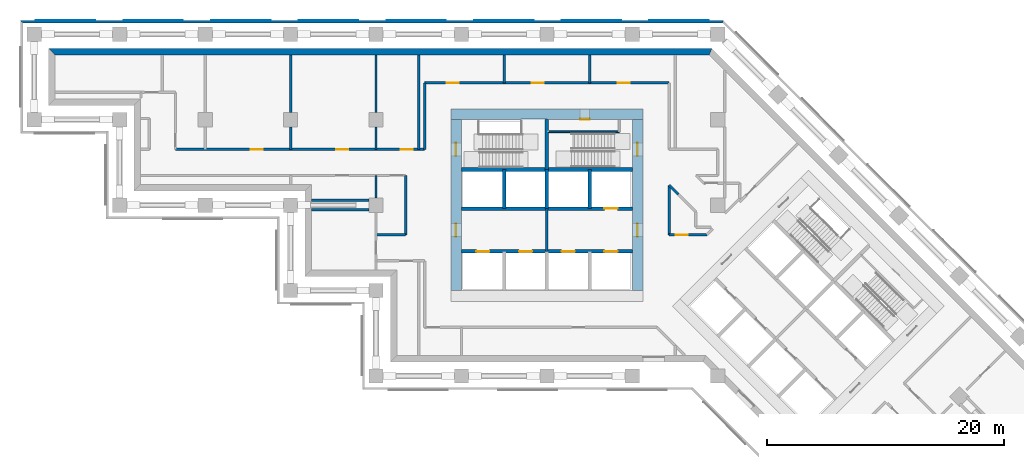
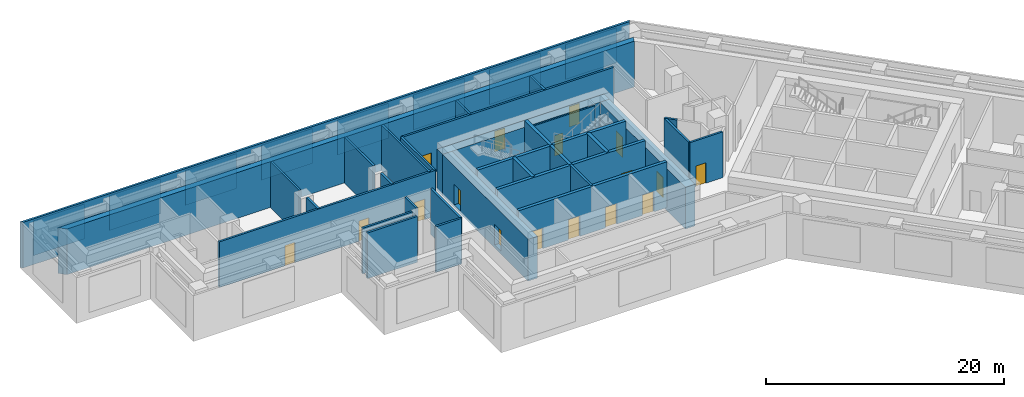
# One storey, part 4 of 8: 33 walls, 17 doors, 8 plates, 17 openings.
"""IFC4 building model written with IfcOpenShell, lengths in metres."""

from ifc_helpers import new_model, si_unit, direction, frame, frame_2d, origin, place, context, subcontext, project, spatial, polyline, rectangle, outline, extrude, material, layer, layer_set, type_object, element, fill, aggregate, save


model = new_model("IFC4")

# Units and contexts
model_context = context("Model", 3, precision=1e-05, world=origin(), true_north=direction((0.0, 1.0)))
body_context = subcontext(model_context, "Body", "Model", "MODEL_VIEW")
ifc_project = project(units=[si_unit("LENGTHUNIT", "METRE"), si_unit("AREAUNIT", "SQUARE_METRE"), si_unit("VOLUMEUNIT", "CUBIC_METRE"), si_unit("PLANEANGLEUNIT", "RADIAN"), si_unit("MASSUNIT", "GRAM", prefix="KILO")], contexts=[model_context])

# Plate
ifc_material_1 = material(Name="Aluminium louvre", Category="aluminium")
ifc_layer_1 = layer(ifc_material_1, 0.05)
ifc_layer_set_1 = layer_set([ifc_layer_1], Name="Belt louvre panel 5000x3600")
plate_type = type_object("IfcPlateType", Name="Belt louvre panel 5000x3600", PredefinedType="SHEET", material=ifc_layer_set_1)
site_placement = place(None, origin())
building_placement = place(site_placement, origin())
storey_placement = place(building_placement, frame((0.0, 0.0, 72.0)))
plate_1_placement = place(storey_placement, frame((78.4421, 73.2, 0.75), z_axis=(0.0, 1.0, 0.0), x_axis=(-1.0, 0.0, 0.0)))
plate_1 = element("IfcPlate", 1, at=plate_1_placement, type_object=plate_type, Name="Belt louvre panel L19 28.1", PredefinedType="SHEET", context=body_context, shape_type="SweptSolid", body=[
    extrude(outline(polyline([(0.0, 0.0), (5.0, 0.0), (5.0, 3.6), (0.0, 3.6), (0.0, 0.0)])), origin(), (0.0, 0.0, -1.0), 0.05),
])

plate_2_placement = place(storey_placement, frame((71.0565, 73.2, 0.75), z_axis=(0.0, 1.0, 0.0), x_axis=(-1.0, 0.0, 0.0)))
plate_2 = element("IfcPlate", 2, at=plate_2_placement, type_object=plate_type, Name="Belt louvre panel L19 29.2", PredefinedType="SHEET", context=body_context, shape_type="SweptSolid", body=[
    extrude(outline(polyline([(0.0, 0.0), (5.0, 0.0), (5.0, 3.6), (0.0, 3.6), (0.0, 0.0)])), origin(), (0.0, 0.0, -1.0), 0.05),
])

plate_3_placement = place(storey_placement, frame((63.6709, 73.2, 0.75), z_axis=(0.0, 1.0, 0.0), x_axis=(-1.0, 0.0, 0.0)))
plate_3 = element("IfcPlate", 3, at=plate_3_placement, type_object=plate_type, Name="Belt louvre panel L19 30.3", PredefinedType="SHEET", context=body_context, shape_type="SweptSolid", body=[
    extrude(outline(polyline([(0.0, 0.0), (5.0, 0.0), (5.0, 3.6), (0.0, 3.6), (0.0, 0.0)])), origin(), (0.0, 0.0, -1.0), 0.05),
])

plate_4_placement = place(storey_placement, frame((56.2852, 73.2, 0.75), z_axis=(0.0, 1.0, 0.0), x_axis=(-1.0, 0.0, 0.0)))
plate_4 = element("IfcPlate", 4, at=plate_4_placement, type_object=plate_type, Name="Belt louvre panel L19 31.4", PredefinedType="SHEET", context=body_context, shape_type="SweptSolid", body=[
    extrude(outline(polyline([(0.0, 0.0), (5.0, 0.0), (5.0, 3.6), (0.0, 3.6), (0.0, 0.0)])), origin(), (0.0, 0.0, -1.0), 0.05),
])

plate_5_placement = place(storey_placement, frame((48.8996, 73.2, 0.75), z_axis=(0.0, 1.0, 0.0), x_axis=(-1.0, 0.0, 0.0)))
plate_5 = element("IfcPlate", 5, at=plate_5_placement, type_object=plate_type, Name="Belt louvre panel L19 32.5", PredefinedType="SHEET", context=body_context, shape_type="SweptSolid", body=[
    extrude(outline(polyline([(0.0, 0.0), (5.0, 0.0), (5.0, 3.6), (0.0, 3.6), (0.0, 0.0)])), origin(), (0.0, 0.0, -1.0), 0.05),
])

plate_6_placement = place(storey_placement, frame((41.514, 73.2, 0.75), z_axis=(0.0, 1.0, 0.0), x_axis=(-1.0, 0.0, 0.0)))
plate_6 = element("IfcPlate", 6, at=plate_6_placement, type_object=plate_type, Name="Belt louvre panel L19 33.6", PredefinedType="SHEET", context=body_context, shape_type="SweptSolid", body=[
    extrude(outline(polyline([(0.0, 0.0), (5.0, 0.0), (5.0, 3.6), (0.0, 3.6), (0.0, 0.0)])), origin(), (0.0, 0.0, -1.0), 0.05),
])

plate_7_placement = place(storey_placement, frame((34.1284, 73.2, 0.75), z_axis=(0.0, 1.0, 0.0), x_axis=(-1.0, 0.0, 0.0)))
plate_7 = element("IfcPlate", 7, at=plate_7_placement, type_object=plate_type, Name="Belt louvre panel L19 34.7", PredefinedType="SHEET", context=body_context, shape_type="SweptSolid", body=[
    extrude(outline(polyline([(0.0, 0.0), (5.0, 0.0), (5.0, 3.6), (0.0, 3.6), (0.0, 0.0)])), origin(), (0.0, 0.0, -1.0), 0.05),
])

plate_8_placement = place(storey_placement, frame((26.7428, 73.2, 0.75), z_axis=(0.0, 1.0, 0.0), x_axis=(-1.0, 0.0, 0.0)))
plate_8 = element("IfcPlate", 8, at=plate_8_placement, type_object=plate_type, Name="Belt louvre panel L19 35.8", PredefinedType="SHEET", context=body_context, shape_type="SweptSolid", body=[
    extrude(outline(polyline([(0.0, 0.0), (5.0, 0.0), (5.0, 3.6), (0.0, 3.6), (0.0, 0.0)])), origin(), (0.0, 0.0, -1.0), 0.05),
])

# Site, building, storey
site = spatial("IfcSite", under=ifc_project, at=site_placement, CompositionType="ELEMENT")
building = spatial("IfcBuilding", under=site, at=building_placement, Name="Windrow Commons", CompositionType="ELEMENT")
storey = spatial("IfcBuildingStorey", under=building, at=storey_placement, Name="L19", CompositionType="ELEMENT", Elevation=72.0)

# Wall
ifc_material_2 = material(Name="Concrete C40/50 precast screen panel", Category="concrete")
ifc_layer_2 = layer(ifc_material_2, 0.2)
ifc_layer_set_2 = layer_set([ifc_layer_2], Name="Belt screen wall 200")
wall_type_1 = type_object("IfcWallType", Name="Belt screen wall 200", PredefinedType="SOLIDWALL", material=ifc_layer_set_2)
wall_1_placement = place(storey_placement, frame((79.6349, 73.05, 0.0), z_axis=(0.0, 0.0, 1.0), x_axis=(-1.0, 0.0, 0.0)))
wall_1 = element("IfcWall", 9, at=wall_1_placement, inside=storey, type_object=wall_type_1, Name="Belt screen wall L19 28", PredefinedType="SOLIDWALL", context=body_context, shape_type="SweptSolid", body=[
    extrude(outline(polyline([(-0.0414, -0.1), (59.1849, -0.1), (58.9849, 0.1), (0.0414, 0.1), (-0.0414, -0.1)])), origin(), (0.0, 0.0, 1.0), 4.7),
])

aggregate(wall_1, [plate_1, plate_2, plate_3, plate_4, plate_5, plate_6, plate_7, plate_8])

# Walls
ifc_material_3 = material(Name="Brick masonry, red clay brick", Category="masonry")
ifc_layer_3 = layer(ifc_material_3, 0.55)
ifc_layer_set_3 = layer_set([ifc_layer_3], Name="Brick facade wall 550")
wall_type_2 = type_object("IfcWallType", Name="Brick facade wall 550", PredefinedType="SOLIDWALL", material=ifc_layer_set_3)
wall_2_placement = place(storey_placement, frame((78.589, 70.525, 0.0), z_axis=(0.0, 0.0, 1.0), x_axis=(-1.0, 0.0, 0.0)))
element("IfcWall", 10, at=wall_2_placement, inside=storey, type_object=wall_type_2, Name="Brick facade wall L19 4", PredefinedType="SOLIDWALL", context=body_context, shape_type="SweptSolid", body=[
    extrude(outline(polyline([(-0.1139, -0.275), (55.789, -0.275), (55.239, 0.275), (0.1139, 0.275), (-0.1139, -0.275)])), origin(), (0.0, 0.0, 1.0), 4.7),
])
ifc_material_4 = material(Name="Blockwork partition", Category="masonry")
ifc_layer_4 = layer(ifc_material_4, 0.2)
ifc_layer_set_4 = layer_set([ifc_layer_4], Name="Fire lobby partition 200")
wall_type_3 = type_object("IfcWallType", Name="Fire lobby partition 200", PredefinedType="PARTITIONING", material=ifc_layer_set_4)
wall_3_placement = place(storey_placement, frame((64.8, 53.7, 0.0), z_axis=(0.0, 0.0, 1.0), x_axis=(0.0, 1.0, 0.0)))
element("IfcWall", 11, at=wall_3_placement, inside=storey, type_object=wall_type_3, Name="W-core-lobby-A-L19", PredefinedType="PARTITIONING", context=body_context, shape_type="SweptSolid", body=[
    extrude(rectangle(XDim=3.6, YDim=0.2, at=frame_2d((1.8, 0.0))), origin(), (0.0, 0.0, 1.0), 4.7),
])

# Wall, openings, doors
ifc_material_5 = material(Name="Blockwork partition", Category="masonry")
ifc_layer_5 = layer(ifc_material_5, 0.2)
ifc_layer_set_5 = layer_set([ifc_layer_5], Name="IW-CORRIDOR-200")
wall_type_4 = type_object("IfcWallType", Name="IW-CORRIDOR-200", PredefinedType="PARTITIONING", material=ifc_layer_set_5)
wall_4_placement = place(storey_placement, frame((33.502, 62.3, 0.0), z_axis=(0.0, 0.0, 1.0), x_axis=(1.0, 0.0, 0.0)))
wall_4 = element("IfcWall", 12, at=wall_4_placement, inside=storey, type_object=wall_type_4, Name="W-L19-W001", PredefinedType="PARTITIONING", context=body_context, shape_type="SweptSolid", body=[
    extrude(rectangle(XDim=20.998, YDim=0.2, at=frame_2d((10.499, 0.0))), origin(), (0.0, 0.0, 1.0), 4.7),
])
opening_1_placement = place(wall_4_placement, frame((6.3605, 0.0, 0.0)))
opening_1 = element("IfcOpeningElement", 13, at=opening_1_placement, cuts=wall_4, Name="Opening D410F", PredefinedType="OPENING", context=body_context, shape_type="SweptSolid", body=[
    extrude(rectangle(XDim=1.0, YDim=2.1, at=frame_2d((0.5, 1.05))), frame((0.0, 0.11, 0.0), z_axis=(0.0, -1.0, 0.0), x_axis=(1.0, 0.0, 0.0)), (0.0, 0.0, 1.0), 0.22),
])
opening_2_placement = place(wall_4_placement, frame((13.5605, 0.0, 0.0)))
opening_2 = element("IfcOpeningElement", 14, at=opening_2_placement, cuts=wall_4, Name="Opening D410F", PredefinedType="OPENING", context=body_context, shape_type="SweptSolid", body=[
    extrude(rectangle(XDim=1.0, YDim=2.1, at=frame_2d((0.5, 1.05))), frame((0.0, 0.11, 0.0), z_axis=(0.0, -1.0, 0.0), x_axis=(1.0, 0.0, 0.0)), (0.0, 0.0, 1.0), 0.22),
])
opening_3_placement = place(wall_4_placement, frame((18.9905, 0.0, 0.0)))
opening_3 = element("IfcOpeningElement", 15, at=opening_3_placement, cuts=wall_4, Name="Opening D410F", PredefinedType="OPENING", context=body_context, shape_type="SweptSolid", body=[
    extrude(rectangle(XDim=1.0, YDim=2.1, at=frame_2d((0.5, 1.05))), frame((0.0, 0.11, 0.0), z_axis=(0.0, -1.0, 0.0), x_axis=(1.0, 0.0, 0.0)), (0.0, 0.0, 1.0), 0.22),
])
ifc_material_6 = material(Name="Timber door leaf", Category="wood")
door_type_1 = type_object("IfcDoorType", Name="DT-SERVICE-1000", OperationType="SINGLE_SWING_LEFT", PredefinedType="DOOR", material=ifc_material_6)
door_1_placement = place(opening_1_placement, origin())
door_1 = element("IfcDoor", 16, at=door_1_placement, inside=storey, type_object=door_type_1, Name="D-L19-D008", OperationType="SINGLE_SWING_RIGHT", OverallHeight=2.1, OverallWidth=1.0, PredefinedType="DOOR", context=body_context, shape_type="SweptSolid", body=[
    extrude(rectangle(XDim=1.0, YDim=2.1, at=frame_2d((0.5, 1.05))), frame((0.0, 0.025, 0.0), z_axis=(0.0, -1.0, 0.0), x_axis=(1.0, 0.0, 0.0)), (0.0, 0.0, 1.0), 0.05),
])
fill(opening_1, door_1)
door_2_placement = place(opening_2_placement, origin())
door_2 = element("IfcDoor", 17, at=door_2_placement, inside=storey, type_object=door_type_1, Name="D-L19-D009", OperationType="SINGLE_SWING_RIGHT", OverallHeight=2.1, OverallWidth=1.0, PredefinedType="DOOR", context=body_context, shape_type="SweptSolid", body=[
    extrude(rectangle(XDim=1.0, YDim=2.1, at=frame_2d((0.5, 1.05))), frame((0.0, 0.025, 0.0), z_axis=(0.0, -1.0, 0.0), x_axis=(1.0, 0.0, 0.0)), (0.0, 0.0, 1.0), 0.05),
])
fill(opening_2, door_2)
door_3_placement = place(opening_3_placement, origin())
door_3 = element("IfcDoor", 18, at=door_3_placement, inside=storey, type_object=door_type_1, Name="D-L19-D010", OperationType="SINGLE_SWING_RIGHT", OverallHeight=2.1, OverallWidth=1.0, PredefinedType="DOOR", context=body_context, shape_type="SweptSolid", body=[
    extrude(rectangle(XDim=1.0, YDim=2.1, at=frame_2d((0.5, 1.05))), frame((0.0, 0.025, 0.0), z_axis=(0.0, -1.0, 0.0), x_axis=(1.0, 0.0, 0.0)), (0.0, 0.0, 1.0), 0.05),
])
fill(opening_3, door_3)

wall_5_placement = place(storey_placement, frame((54.502, 67.9, 0.0), z_axis=(0.0, 0.0, 1.0), x_axis=(1.0, 0.0, 0.0)))
wall_5 = element("IfcWall", 19, at=wall_5_placement, inside=storey, type_object=wall_type_4, Name="W-L19-W002", PredefinedType="PARTITIONING", context=body_context, shape_type="SweptSolid", body=[
    extrude(rectangle(XDim=20.598, YDim=0.2, at=frame_2d((10.299, 0.0))), origin(), (0.0, 0.0, 1.0), 4.7),
])
opening_4_placement = place(wall_5_placement, frame((1.8706, 0.0, 0.0)))
opening_4 = element("IfcOpeningElement", 20, at=opening_4_placement, cuts=wall_5, Name="Opening D410F", PredefinedType="OPENING", context=body_context, shape_type="SweptSolid", body=[
    extrude(rectangle(XDim=1.0, YDim=2.1, at=frame_2d((0.5, 1.05))), frame((0.0, 0.11, 0.0), z_axis=(0.0, -1.0, 0.0), x_axis=(1.0, 0.0, 0.0)), (0.0, 0.0, 1.0), 0.22),
])
opening_5_placement = place(wall_5_placement, frame((16.2725, 0.0, 0.0)))
opening_5 = element("IfcOpeningElement", 21, at=opening_5_placement, cuts=wall_5, Name="Opening D410F", PredefinedType="OPENING", context=body_context, shape_type="SweptSolid", body=[
    extrude(rectangle(XDim=1.0, YDim=2.1, at=frame_2d((0.5, 1.05))), frame((0.0, 0.11, 0.0), z_axis=(0.0, -1.0, 0.0), x_axis=(1.0, 0.0, 0.0)), (0.0, 0.0, 1.0), 0.22),
])
opening_6_placement = place(wall_5_placement, frame((9.0355, 0.0, 0.0)))
opening_6 = element("IfcOpeningElement", 22, at=opening_6_placement, cuts=wall_5, Name="Opening D410F", PredefinedType="OPENING", context=body_context, shape_type="SweptSolid", body=[
    extrude(rectangle(XDim=1.0, YDim=2.1, at=frame_2d((0.5, 1.05))), frame((0.0, 0.11, 0.0), z_axis=(0.0, -1.0, 0.0), x_axis=(1.0, 0.0, 0.0)), (0.0, 0.0, 1.0), 0.22),
])
door_4_placement = place(opening_4_placement, origin())
door_4 = element("IfcDoor", 23, at=door_4_placement, inside=storey, type_object=door_type_1, Name="D-L19-D011", OperationType="SINGLE_SWING_LEFT", OverallHeight=2.1, OverallWidth=1.0, PredefinedType="DOOR", context=body_context, shape_type="SweptSolid", body=[
    extrude(rectangle(XDim=1.0, YDim=2.1, at=frame_2d((0.5, 1.05))), frame((0.0, 0.025, 0.0), z_axis=(0.0, -1.0, 0.0), x_axis=(1.0, 0.0, 0.0)), (0.0, 0.0, 1.0), 0.05),
])
fill(opening_4, door_4)
door_5_placement = place(opening_5_placement, origin())
door_5 = element("IfcDoor", 24, at=door_5_placement, inside=storey, type_object=door_type_1, Name="D-L19-D012", OperationType="SINGLE_SWING_LEFT", OverallHeight=2.1, OverallWidth=1.0, PredefinedType="DOOR", context=body_context, shape_type="SweptSolid", body=[
    extrude(rectangle(XDim=1.0, YDim=2.1, at=frame_2d((0.5, 1.05))), frame((0.0, 0.025, 0.0), z_axis=(0.0, -1.0, 0.0), x_axis=(1.0, 0.0, 0.0)), (0.0, 0.0, 1.0), 0.05),
])
fill(opening_5, door_5)
door_6_placement = place(opening_6_placement, origin())
door_6 = element("IfcDoor", 25, at=door_6_placement, inside=storey, type_object=door_type_1, Name="D-L19-D013", OperationType="SINGLE_SWING_LEFT", OverallHeight=2.1, OverallWidth=1.0, PredefinedType="DOOR", context=body_context, shape_type="SweptSolid", body=[
    extrude(rectangle(XDim=1.0, YDim=2.1, at=frame_2d((0.5, 1.05))), frame((0.0, 0.025, 0.0), z_axis=(0.0, -1.0, 0.0), x_axis=(1.0, 0.0, 0.0)), (0.0, 0.0, 1.0), 0.05),
])
fill(opening_6, door_6)

# Walls
wall_6_placement = place(storey_placement, frame((54.5, 62.302, 0.0), z_axis=(0.0, 0.0, 1.0), x_axis=(0.0, 1.0, 0.0)))
element("IfcWall", 26, at=wall_6_placement, inside=storey, type_object=wall_type_4, Name="W-L19-W016", PredefinedType="PARTITIONING", context=body_context, shape_type="SweptSolid", body=[
    extrude(rectangle(XDim=5.598, YDim=0.2, at=frame_2d((2.799, 0.0))), origin(), (0.0, 0.0, 1.0), 4.7),
])
wall_7_placement = place(storey_placement, frame((52.9, 55.102, 0.0), z_axis=(0.0, 0.0, 1.0), x_axis=(0.0, 1.0, 0.0)))
element("IfcWall", 27, at=wall_7_placement, inside=storey, type_object=wall_type_4, Name="W-L19-W018", PredefinedType="PARTITIONING", context=body_context, shape_type="SweptSolid", body=[
    extrude(rectangle(XDim=4.998, YDim=0.2, at=frame_2d((2.499, 0.0))), origin(), (0.0, 0.0, 1.0), 4.7),
])
wall_8_placement = place(storey_placement, frame((75.1, 55.102, 0.0), z_axis=(0.0, 0.0, 1.0), x_axis=(0.0, 1.0, 0.0)))
element("IfcWall", 28, at=wall_8_placement, inside=storey, type_object=wall_type_4, Name="W-L19-W030", PredefinedType="PARTITIONING", context=body_context, shape_type="SweptSolid", body=[
    extrude(rectangle(XDim=4.166, YDim=0.2, at=frame_2d((2.083, 0.0))), origin(), (0.0, 0.0, 1.0), 4.7),
])

# Wall, opening, door
wall_9_placement = place(storey_placement, frame((75.102, 55.1, 0.0), z_axis=(0.0, 0.0, 1.0), x_axis=(1.0, 0.0, 0.0)))
wall_9 = element("IfcWall", 29, at=wall_9_placement, inside=storey, type_object=wall_type_4, Name="W-L19-W039", PredefinedType="PARTITIONING", context=body_context, shape_type="SweptSolid", body=[
    extrude(rectangle(XDim=3.178, YDim=0.2, at=frame_2d((1.589, 0.0))), origin(), (0.0, 0.0, 1.0), 4.7),
])
opening_7_placement = place(wall_9_placement, frame((0.5489, 0.0, 0.0)))
opening_7 = element("IfcOpeningElement", 30, at=opening_7_placement, cuts=wall_9, Name="Opening D410F", PredefinedType="OPENING", context=body_context, shape_type="SweptSolid", body=[
    extrude(rectangle(XDim=1.0, YDim=2.1, at=frame_2d((0.5, 1.05))), frame((0.0, 0.11, 0.0), z_axis=(0.0, -1.0, 0.0), x_axis=(1.0, 0.0, 0.0)), (0.0, 0.0, 1.0), 0.22),
])
door_7_placement = place(opening_7_placement, origin())
door_7 = element("IfcDoor", 31, at=door_7_placement, inside=storey, type_object=door_type_1, Name="D-L19-D005", OperationType="SINGLE_SWING_LEFT", OverallHeight=2.1, OverallWidth=1.0, PredefinedType="DOOR", context=body_context, shape_type="SweptSolid", body=[
    extrude(rectangle(XDim=1.0, YDim=2.1, at=frame_2d((0.5, 1.05))), frame((0.0, 0.025, 0.0), z_axis=(0.0, -1.0, 0.0), x_axis=(1.0, 0.0, 0.0)), (0.0, 0.0, 1.0), 0.05),
])
fill(opening_7, door_7)

# Walls
wall_10_placement = place(storey_placement, frame((50.4, 55.1, 0.0), z_axis=(0.0, 0.0, 1.0), x_axis=(1.0, 0.0, 0.0)))
element("IfcWall", 32, at=wall_10_placement, inside=storey, type_object=wall_type_4, Name="W-L19-W047", PredefinedType="PARTITIONING", context=body_context, shape_type="SweptSolid", body=[
    extrude(rectangle(XDim=2.5, YDim=0.2, at=frame_2d((1.25, 0.0))), origin(), (0.0, 0.0, 1.0), 4.7),
])
wall_11_placement = place(storey_placement, frame((75.1022, 59.2702, 0.0), z_axis=(0.0, 0.0, 1.0), x_axis=(0.7061937975, -0.7080185876, 0.0)))
element("IfcWall", 33, at=wall_11_placement, inside=storey, type_object=wall_type_4, Name="W-L19-W074", PredefinedType="PARTITIONING", context=body_context, shape_type="SweptSolid", body=[
    extrude(rectangle(XDim=1.096, YDim=0.2, at=frame_2d((0.548, 0.0))), origin(), (0.0, 0.0, 1.0), 4.7),
])
ifc_material_7 = material(Name="Blockwork partition", Category="masonry")
ifc_layer_6 = layer(ifc_material_7, 0.2)
ifc_layer_set_6 = layer_set([ifc_layer_6], Name="IW-PARTY-200")
wall_type_5 = type_object("IfcWallType", Name="IW-PARTY-200", PredefinedType="PARTITIONING", material=ifc_layer_set_6)
wall_12_placement = place(storey_placement, frame((54.0, 62.3, 0.0), z_axis=(0.0, 0.0, 1.0), x_axis=(0.0, 1.0, 0.0)))
element("IfcWall", 34, at=wall_12_placement, inside=storey, type_object=wall_type_5, Name="W-L19-W007", PredefinedType="PARTITIONING", context=body_context, shape_type="SweptSolid", body=[
    extrude(rectangle(XDim=7.95, YDim=0.2, at=frame_2d((3.975, 0.0))), origin(), (0.0, 0.0, 1.0), 4.7),
])
for number, where, z_axis, x_axis, name in (
    (35, (44.95, 57.2, 0.0), (0.0, 0.0, 1.0), (1.0, 0.0, 0.0), "W-L19-W021"),
    (36, (44.95, 58.0, 0.0), (0.0, 0.0, 1.0), (1.0, 0.0, 0.0), "W-L19-W022"),
    (37, (43.2, 65.4, 0.0), (0.0, 0.0, 1.0), (0.0, 1.0, 0.0), "W-L19-W024"),
    (38, (50.4, 65.4, 0.0), (0.0, 0.0, 1.0), (0.0, 1.0, 0.0), "W-L19-W025"),
):
    element("IfcWall", number, at=place(storey_placement, frame(where, z_axis=z_axis, x_axis=x_axis)), inside=storey, type_object=wall_type_5, Name=name, PredefinedType="PARTITIONING", context=body_context, shape_type="SweptSolid", body=[
        extrude(rectangle(XDim=4.85, YDim=0.2, at=frame_2d((2.425, 0.0))), origin(), (0.0, 0.0, 1.0), 4.7),
    ])
for number, where, z_axis, x_axis, name in (
    (39, (61.2, 67.9, 0.0), (0.0, 0.0, 1.0), (0.0, 1.0, 0.0), "W-L19-W049"),
    (40, (68.4, 67.9, 0.0), (0.0, 0.0, 1.0), (0.0, 1.0, 0.0), "W-L19-W050"),
):
    element("IfcWall", number, at=place(storey_placement, frame(where, z_axis=z_axis, x_axis=x_axis)), inside=storey, type_object=wall_type_5, Name=name, PredefinedType="PARTITIONING", context=body_context, shape_type="SweptSolid", body=[
        extrude(rectangle(XDim=2.35, YDim=0.2, at=frame_2d((1.175, 0.0))), origin(), (0.0, 0.0, 1.0), 4.7),
    ])
for number, where, z_axis, x_axis, name in (
    (41, (43.2, 62.3, 0.0), (0.0, 0.0, 1.0), (0.0, 1.0, 0.0), "W-L19-W055"),
    (42, (50.4, 62.3, 0.0), (0.0, 0.0, 1.0), (0.0, 1.0, 0.0), "W-L19-W056"),
    (43, (50.4, 58.2, 0.0), (0.0, 0.0, 1.0), (0.0, 1.0, 0.0), "W-L19-W058"),
):
    element("IfcWall", number, at=place(storey_placement, frame(where, z_axis=z_axis, x_axis=x_axis)), inside=storey, type_object=wall_type_5, Name=name, PredefinedType="PARTITIONING", context=body_context, shape_type="SweptSolid", body=[
        extrude(rectangle(XDim=1.9, YDim=0.2, at=frame_2d((0.95, 0.0))), origin(), (0.0, 0.0, 1.0), 4.7),
    ])

# Wall, opening, door
ifc_material_8 = material(Name="Concrete C60/75", Category="concrete")
ifc_layer_7 = layer(ifc_material_8, 0.9)
ifc_layer_set_7 = layer_set([ifc_layer_7], Name="RC CORE WALL 900 C60/75")
wall_type_6 = type_object("IfcWallType", Name="RC CORE WALL 900 C60/75", PredefinedType="SHEAR", material=ifc_layer_set_7)
wall_13_placement = place(storey_placement, frame((56.7, 65.25, -0.3), z_axis=(0.0, 0.0, 1.0), x_axis=(1.0, 0.0, 0.0)))
wall_13 = element("IfcWall", 44, at=wall_13_placement, inside=storey, type_object=wall_type_6, Name="Core A wall outer-N", PredefinedType="SHEAR", context=body_context, shape_type="SweptSolid", body=[
    extrude(rectangle(XDim=16.2, YDim=0.9, at=frame_2d((8.1, 0.0))), origin(), (0.0, 0.0, 1.0), 4.3),
])
opening_8_placement = place(wall_13_placement, frame((10.9, 0.0, 0.3)))
opening_8 = element("IfcOpeningElement", 45, at=opening_8_placement, cuts=wall_13, Name="Opening D9", PredefinedType="OPENING", context=body_context, shape_type="SweptSolid", body=[
    extrude(rectangle(XDim=0.8, YDim=2.1, at=frame_2d((0.4, 1.05))), frame((0.0, 0.46, 0.0), z_axis=(0.0, -1.0, 0.0), x_axis=(1.0, 0.0, 0.0)), (0.0, 0.0, 1.0), 0.92),
])
ifc_material_9 = material(Name="Steel fire door leaf", Category="steel")
door_type_2 = type_object("IfcDoorType", Name="Riser access door 800", OperationType="SINGLE_SWING_LEFT", PredefinedType="DOOR", material=ifc_material_9)
door_8_placement = place(opening_8_placement, origin())
door_8 = element("IfcDoor", 46, at=door_8_placement, inside=storey, type_object=door_type_2, Name="Riser access door", OperationType="SINGLE_SWING_RIGHT", OverallHeight=2.1, OverallWidth=0.8, PredefinedType="DOOR", context=body_context, shape_type="SweptSolid", body=[
    extrude(rectangle(XDim=0.8, YDim=2.1, at=frame_2d((0.4, 1.05))), frame((0.0, -0.39, 0.0), z_axis=(0.0, -1.0, 0.0), x_axis=(1.0, 0.0, 0.0)), (0.0, 0.0, 1.0), 0.05),
])
fill(opening_8, door_8)

# Wall, openings, doors
wall_14_placement = place(storey_placement, frame((57.15, 50.4, -0.3), z_axis=(0.0, 0.0, 1.0), x_axis=(0.0, 1.0, 0.0)))
wall_14 = element("IfcWall", 47, at=wall_14_placement, inside=storey, type_object=wall_type_6, Name="Core A wall outer-W", PredefinedType="SHEAR", context=body_context, shape_type="SweptSolid", body=[
    extrude(rectangle(XDim=14.4, YDim=0.9, at=frame_2d((7.2, 0.0))), origin(), (0.0, 0.0, 1.0), 4.3),
])
opening_9_placement = place(wall_14_placement, frame((4.55, 0.0, 0.3)))
opening_9 = element("IfcOpeningElement", 48, at=opening_9_placement, cuts=wall_14, Name="Opening D6", PredefinedType="OPENING", context=body_context, shape_type="SweptSolid", body=[
    extrude(rectangle(XDim=1.1, YDim=2.1, at=frame_2d((0.55, 1.05))), frame((0.0, 0.46, 0.0), z_axis=(0.0, -1.0, 0.0), x_axis=(1.0, 0.0, 0.0)), (0.0, 0.0, 1.0), 0.92),
])
opening_10_placement = place(wall_14_placement, frame((11.35, 0.0, 0.3)))
opening_10 = element("IfcOpeningElement", 49, at=opening_10_placement, cuts=wall_14, Name="Opening D7", PredefinedType="OPENING", context=body_context, shape_type="SweptSolid", body=[
    extrude(rectangle(XDim=1.1, YDim=2.1, at=frame_2d((0.55, 1.05))), frame((0.0, 0.46, 0.0), z_axis=(0.0, -1.0, 0.0), x_axis=(1.0, 0.0, 0.0)), (0.0, 0.0, 1.0), 0.92),
])
ifc_material_10 = material(Name="Steel fire door leaf", Category="steel")
door_type_3 = type_object("IfcDoorType", Name="Core lobby door 1100", OperationType="SINGLE_SWING_LEFT", PredefinedType="DOOR", material=ifc_material_10)
door_9_placement = place(opening_9_placement, origin())
door_9 = element("IfcDoor", 50, at=door_9_placement, inside=storey, type_object=door_type_3, Name="Lift lobby door", OperationType="DOUBLE_DOOR_SINGLE_SWING", OverallHeight=2.1, OverallWidth=1.1, PredefinedType="DOOR", context=body_context, shape_type="SweptSolid", body=[
    extrude(rectangle(XDim=1.1, YDim=2.1, at=frame_2d((0.55, 1.05))), frame((0.0, 0.025, 0.0), z_axis=(0.0, -1.0, 0.0), x_axis=(1.0, 0.0, 0.0)), (0.0, 0.0, 1.0), 0.05),
])
fill(opening_9, door_9)
ifc_material_11 = material(Name="Steel fire door leaf", Category="steel")
door_type_4 = type_object("IfcDoorType", Name="Stair door 1100", OperationType="SINGLE_SWING_LEFT", PredefinedType="DOOR", material=ifc_material_11)
door_10_placement = place(opening_10_placement, origin())
door_10 = element("IfcDoor", 51, at=door_10_placement, inside=storey, type_object=door_type_4, Name="Stair door", OperationType="SINGLE_SWING_LEFT", OverallHeight=2.1, OverallWidth=1.1, PredefinedType="DOOR", context=body_context, shape_type="SweptSolid", body=[
    extrude(rectangle(XDim=1.1, YDim=2.1, at=frame_2d((0.55, 1.05))), frame((0.0, 0.025, 0.0), z_axis=(0.0, -1.0, 0.0), x_axis=(1.0, 0.0, 0.0)), (0.0, 0.0, 1.0), 0.05),
])
fill(opening_10, door_10)

wall_15_placement = place(storey_placement, frame((72.45, 50.4, -0.3), z_axis=(0.0, 0.0, 1.0), x_axis=(0.0, 1.0, 0.0)))
wall_15 = element("IfcWall", 52, at=wall_15_placement, inside=storey, type_object=wall_type_6, Name="Core A wall outer-E", PredefinedType="SHEAR", context=body_context, shape_type="SweptSolid", body=[
    extrude(rectangle(XDim=14.4, YDim=0.9, at=frame_2d((7.2, 0.0))), origin(), (0.0, 0.0, 1.0), 4.3),
])
opening_11_placement = place(wall_15_placement, frame((4.55, 0.0, 0.3)))
opening_11 = element("IfcOpeningElement", 53, at=opening_11_placement, cuts=wall_15, Name="Opening D6", PredefinedType="OPENING", context=body_context, shape_type="SweptSolid", body=[
    extrude(rectangle(XDim=1.1, YDim=2.1, at=frame_2d((0.55, 1.05))), frame((0.0, 0.46, 0.0), z_axis=(0.0, -1.0, 0.0), x_axis=(1.0, 0.0, 0.0)), (0.0, 0.0, 1.0), 0.92),
])
opening_12_placement = place(wall_15_placement, frame((11.35, 0.0, 0.3)))
opening_12 = element("IfcOpeningElement", 54, at=opening_12_placement, cuts=wall_15, Name="Opening D7", PredefinedType="OPENING", context=body_context, shape_type="SweptSolid", body=[
    extrude(rectangle(XDim=1.1, YDim=2.1, at=frame_2d((0.55, 1.05))), frame((0.0, 0.46, 0.0), z_axis=(0.0, -1.0, 0.0), x_axis=(1.0, 0.0, 0.0)), (0.0, 0.0, 1.0), 0.92),
])
door_11_placement = place(opening_11_placement, origin())
door_11 = element("IfcDoor", 55, at=door_11_placement, inside=storey, type_object=door_type_3, Name="Lift lobby door", OperationType="DOUBLE_DOOR_SINGLE_SWING", OverallHeight=2.1, OverallWidth=1.1, PredefinedType="DOOR", context=body_context, shape_type="SweptSolid", body=[
    extrude(rectangle(XDim=1.1, YDim=2.1, at=frame_2d((0.55, 1.05))), frame((0.0, 0.025, 0.0), z_axis=(0.0, -1.0, 0.0), x_axis=(1.0, 0.0, 0.0)), (0.0, 0.0, 1.0), 0.05),
])
fill(opening_11, door_11)
door_12_placement = place(opening_12_placement, origin())
door_12 = element("IfcDoor", 56, at=door_12_placement, inside=storey, type_object=door_type_4, Name="Stair door", OperationType="SINGLE_SWING_RIGHT", OverallHeight=2.1, OverallWidth=1.1, PredefinedType="DOOR", context=body_context, shape_type="SweptSolid", body=[
    extrude(rectangle(XDim=1.1, YDim=2.1, at=frame_2d((0.55, 1.05))), frame((0.0, 0.025, 0.0), z_axis=(0.0, -1.0, 0.0), x_axis=(1.0, 0.0, 0.0)), (0.0, 0.0, 1.0), 0.05),
])
fill(opening_12, door_12)

# Walls
ifc_material_12 = material(Name="Concrete C60/75", Category="concrete")
ifc_layer_8 = layer(ifc_material_12, 0.3)
ifc_layer_set_8 = layer_set([ifc_layer_8], Name="RC SHAFT WALL 300 C60/75")
wall_type_7 = type_object("IfcWallType", Name="RC SHAFT WALL 300 C60/75", PredefinedType="SOLIDWALL", material=ifc_layer_set_8)
for number, where, z_axis, x_axis, name in (
    (57, (61.2, 57.3, 0.0), (0.0, 0.0, 1.0), (0.0, 1.0, 0.0), "Core A wall shaft-N1"),
    (58, (64.8, 57.3, 0.0), (0.0, 0.0, 1.0), (0.0, 1.0, 0.0), "Core A wall shaft-N2"),
    (59, (68.4, 57.3, 0.0), (0.0, 0.0, 1.0), (0.0, 1.0, 0.0), "Core A wall shaft-N3"),
):
    element("IfcWall", number, at=place(storey_placement, frame(where, z_axis=z_axis, x_axis=x_axis)), inside=storey, type_object=wall_type_7, Name=name, PredefinedType="SOLIDWALL", context=body_context, shape_type="SweptSolid", body=[
        extrude(rectangle(XDim=3.3, YDim=0.3, at=frame_2d((1.65, 0.0))), origin(), (0.0, 0.0, 1.0), 4.7),
    ])

# Wall, openings, doors
wall_16_placement = place(storey_placement, frame((57.6, 53.7, 0.0), z_axis=(0.0, 0.0, 1.0), x_axis=(1.0, 0.0, 0.0)))
wall_16 = element("IfcWall", 60, at=wall_16_placement, inside=storey, type_object=wall_type_7, Name="Core A wall lobby-S", PredefinedType="SOLIDWALL", context=body_context, shape_type="SweptSolid", body=[
    extrude(rectangle(XDim=14.4, YDim=0.3, at=frame_2d((7.2, 0.0))), origin(), (0.0, 0.0, 1.0), 4.7),
])
opening_13_placement = place(wall_16_placement, frame((1.25, 0.0, 0.0)))
opening_13 = element("IfcOpeningElement", 61, at=opening_13_placement, cuts=wall_16, Name="Opening LD", PredefinedType="OPENING", context=body_context, shape_type="SweptSolid", body=[
    extrude(rectangle(XDim=1.1, YDim=2.1, at=frame_2d((0.55, 1.05))), frame((0.0, 0.16, 0.0), z_axis=(0.0, -1.0, 0.0), x_axis=(1.0, 0.0, 0.0)), (0.0, 0.0, 1.0), 0.32),
])
opening_14_placement = place(wall_16_placement, frame((4.85, 0.0, 0.0)))
opening_14 = element("IfcOpeningElement", 62, at=opening_14_placement, cuts=wall_16, Name="Opening LD", PredefinedType="OPENING", context=body_context, shape_type="SweptSolid", body=[
    extrude(rectangle(XDim=1.1, YDim=2.1, at=frame_2d((0.55, 1.05))), frame((0.0, 0.16, 0.0), z_axis=(0.0, -1.0, 0.0), x_axis=(1.0, 0.0, 0.0)), (0.0, 0.0, 1.0), 0.32),
])
opening_15_placement = place(wall_16_placement, frame((8.45, 0.0, 0.0)))
opening_15 = element("IfcOpeningElement", 63, at=opening_15_placement, cuts=wall_16, Name="Opening LD", PredefinedType="OPENING", context=body_context, shape_type="SweptSolid", body=[
    extrude(rectangle(XDim=1.1, YDim=2.1, at=frame_2d((0.55, 1.05))), frame((0.0, 0.16, 0.0), z_axis=(0.0, -1.0, 0.0), x_axis=(1.0, 0.0, 0.0)), (0.0, 0.0, 1.0), 0.32),
])
opening_16_placement = place(wall_16_placement, frame((12.05, 0.0, 0.0)))
opening_16 = element("IfcOpeningElement", 64, at=opening_16_placement, cuts=wall_16, Name="Opening LD", PredefinedType="OPENING", context=body_context, shape_type="SweptSolid", body=[
    extrude(rectangle(XDim=1.1, YDim=2.1, at=frame_2d((0.55, 1.05))), frame((0.0, 0.16, 0.0), z_axis=(0.0, -1.0, 0.0), x_axis=(1.0, 0.0, 0.0)), (0.0, 0.0, 1.0), 0.32),
])
ifc_material_13 = material(Name="Stainless steel door leaf", Category="steel")
door_type_5 = type_object("IfcDoorType", Name="Lift landing door 1100", OperationType="SLIDING_TO_LEFT", PredefinedType="DOOR", material=ifc_material_13)
door_13_placement = place(opening_13_placement, origin())
door_13 = element("IfcDoor", 65, at=door_13_placement, inside=storey, type_object=door_type_5, Name="Lift landing door", OperationType="SLIDING_TO_LEFT", OverallHeight=2.1, OverallWidth=1.1, PredefinedType="DOOR", context=body_context, shape_type="SweptSolid", body=[
    extrude(rectangle(XDim=1.1, YDim=2.1, at=frame_2d((0.55, 1.05))), frame((0.0, 0.025, 0.0), z_axis=(0.0, -1.0, 0.0), x_axis=(1.0, 0.0, 0.0)), (0.0, 0.0, 1.0), 0.05),
])
fill(opening_13, door_13)
door_14_placement = place(opening_14_placement, origin())
door_14 = element("IfcDoor", 66, at=door_14_placement, inside=storey, type_object=door_type_5, Name="Lift landing door", OperationType="SLIDING_TO_RIGHT", OverallHeight=2.1, OverallWidth=1.1, PredefinedType="DOOR", context=body_context, shape_type="SweptSolid", body=[
    extrude(rectangle(XDim=1.1, YDim=2.1, at=frame_2d((0.55, 1.05))), frame((0.0, 0.025, 0.0), z_axis=(0.0, -1.0, 0.0), x_axis=(1.0, 0.0, 0.0)), (0.0, 0.0, 1.0), 0.05),
])
fill(opening_14, door_14)
door_15_placement = place(opening_15_placement, origin())
door_15 = element("IfcDoor", 67, at=door_15_placement, inside=storey, type_object=door_type_5, Name="Lift landing door", OperationType="SLIDING_TO_LEFT", OverallHeight=2.1, OverallWidth=1.1, PredefinedType="DOOR", context=body_context, shape_type="SweptSolid", body=[
    extrude(rectangle(XDim=1.1, YDim=2.1, at=frame_2d((0.55, 1.05))), frame((0.0, 0.025, 0.0), z_axis=(0.0, -1.0, 0.0), x_axis=(1.0, 0.0, 0.0)), (0.0, 0.0, 1.0), 0.05),
])
fill(opening_15, door_15)
door_16_placement = place(opening_16_placement, origin())
door_16 = element("IfcDoor", 68, at=door_16_placement, inside=storey, type_object=door_type_5, Name="Lift landing door", OperationType="SLIDING_TO_RIGHT", OverallHeight=2.1, OverallWidth=1.1, PredefinedType="DOOR", context=body_context, shape_type="SweptSolid", body=[
    extrude(rectangle(XDim=1.1, YDim=2.1, at=frame_2d((0.55, 1.05))), frame((0.0, 0.025, 0.0), z_axis=(0.0, -1.0, 0.0), x_axis=(1.0, 0.0, 0.0)), (0.0, 0.0, 1.0), 0.05),
])
fill(opening_16, door_16)

# Wall, opening, door
wall_17_placement = place(storey_placement, frame((57.6, 57.3, 0.0), z_axis=(0.0, 0.0, 1.0), x_axis=(1.0, 0.0, 0.0)))
wall_17 = element("IfcWall", 69, at=wall_17_placement, inside=storey, type_object=wall_type_7, Name="Core A wall lobby-N", PredefinedType="SOLIDWALL", context=body_context, shape_type="SweptSolid", body=[
    extrude(rectangle(XDim=14.4, YDim=0.3, at=frame_2d((7.2, 0.0))), origin(), (0.0, 0.0, 1.0), 4.7),
])
opening_17_placement = place(wall_17_placement, frame((12.05, 0.0, 0.0)))
opening_17 = element("IfcOpeningElement", 70, at=opening_17_placement, cuts=wall_17, Name="Opening LD", PredefinedType="OPENING", context=body_context, shape_type="SweptSolid", body=[
    extrude(rectangle(XDim=1.1, YDim=2.1, at=frame_2d((0.55, 1.05))), frame((0.0, 0.16, 0.0), z_axis=(0.0, -1.0, 0.0), x_axis=(1.0, 0.0, 0.0)), (0.0, 0.0, 1.0), 0.32),
])
door_17_placement = place(opening_17_placement, origin())
door_17 = element("IfcDoor", 71, at=door_17_placement, inside=storey, type_object=door_type_5, Name="Lift landing door", OperationType="SLIDING_TO_RIGHT", OverallHeight=2.1, OverallWidth=1.1, PredefinedType="DOOR", context=body_context, shape_type="SweptSolid", body=[
    extrude(rectangle(XDim=1.1, YDim=2.1, at=frame_2d((0.55, 1.05))), frame((0.0, 0.025, 0.0), z_axis=(0.0, -1.0, 0.0), x_axis=(1.0, 0.0, 0.0)), (0.0, 0.0, 1.0), 0.05),
])
fill(opening_17, door_17)

# Walls
for number, where, z_axis, x_axis, name in (
    (72, (57.6, 60.6, 0.0), (0.0, 0.0, 1.0), (1.0, 0.0, 0.0), "Core A wall stair-S"),
    (73, (64.8, 60.6, 0.0), (0.0, 0.0, 1.0), (1.0, 0.0, 0.0), "Core A wall stair-S2"),
):
    element("IfcWall", number, at=place(storey_placement, frame(where, z_axis=z_axis, x_axis=x_axis)), inside=storey, type_object=wall_type_7, Name=name, PredefinedType="SOLIDWALL", context=body_context, shape_type="SweptSolid", body=[
        extrude(rectangle(XDim=7.2, YDim=0.3, at=frame_2d((3.6, 0.0))), origin(), (0.0, 0.0, 1.0), 4.7),
    ])
wall_18_placement = place(storey_placement, frame((64.8, 60.6, 0.0), z_axis=(0.0, 0.0, 1.0), x_axis=(0.0, 1.0, 0.0)))
element("IfcWall", 74, at=wall_18_placement, inside=storey, type_object=wall_type_7, Name="Core A wall stair-mid", PredefinedType="SOLIDWALL", context=body_context, shape_type="SweptSolid", body=[
    extrude(rectangle(XDim=4.2, YDim=0.3, at=frame_2d((2.1, 0.0))), origin(), (0.0, 0.0, 1.0), 4.7),
])
ifc_material_14 = material(Name="Blockwork partition", Category="masonry")
ifc_layer_9 = layer(ifc_material_14, 0.15)
ifc_layer_set_9 = layer_set([ifc_layer_9], Name="Riser partition 150")
wall_type_8 = type_object("IfcWallType", Name="Riser partition 150", PredefinedType="PARTITIONING", material=ifc_layer_set_9)
wall_19_placement = place(storey_placement, frame((64.95, 63.78, 0.0), z_axis=(0.0, 0.0, 1.0), x_axis=(1.0, 0.0, 0.0)))
element("IfcWall", 75, at=wall_19_placement, inside=storey, type_object=wall_type_8, Name="W-core-strip-A-L19", PredefinedType="PARTITIONING", context=body_context, shape_type="SweptSolid", body=[
    extrude(rectangle(XDim=5.95, YDim=0.15, at=frame_2d((2.975, 0.0))), origin(), (0.0, 0.0, 1.0), 4.7),
])

save(model, "model.ifc")
